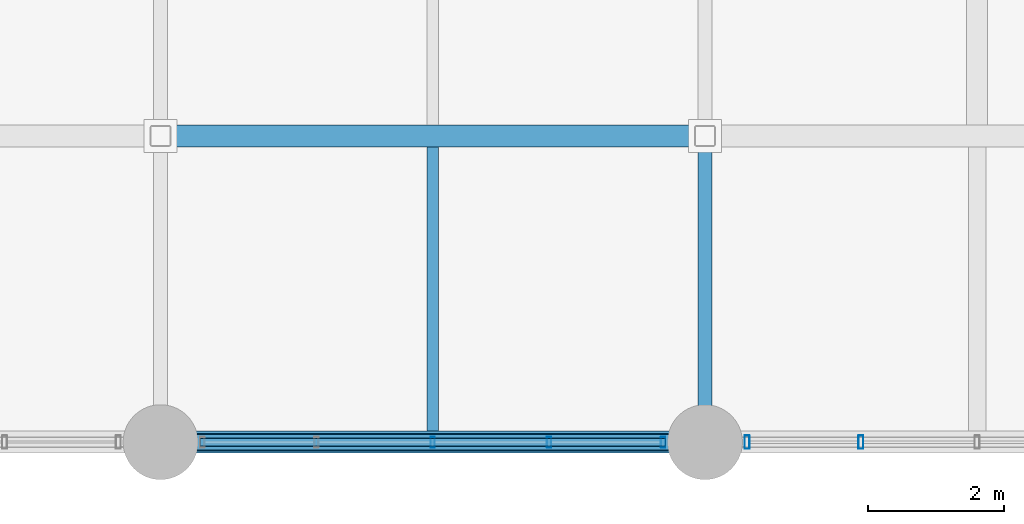
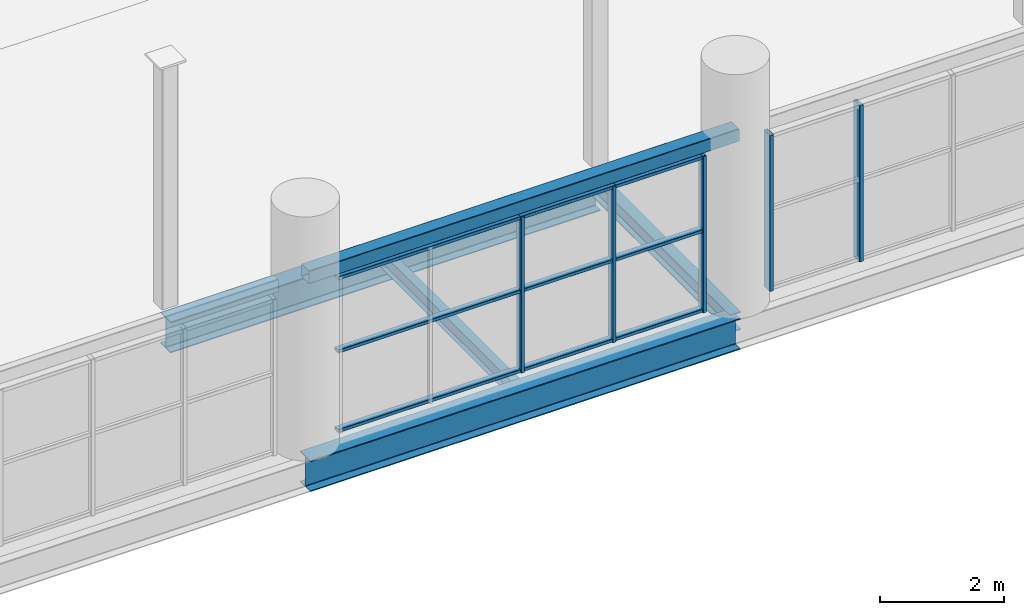
# One storey, part 18 of 114: 8 members, 5 beams, 2 elements without a shape of their own.
"""IFC4 building model written with IfcOpenShell, lengths in metres."""

from ifc_helpers import new_model, si_unit, direction, frame, origin, origin_2d, place, context, subcontext, project, spatial, hollow_rectangle, i_section, extrude, material, material_profile, profile_set, type_object, element, aggregate, save


model = new_model("IFC4")

# Units and contexts
model_context = context("Model", 3, precision=1e-05, world=origin(), true_north=direction((0.0, 1.0)))
body_context = subcontext(model_context, "Body", "Model", "MODEL_VIEW")
ifc_project = project(units=[si_unit("LENGTHUNIT", "METRE"), si_unit("AREAUNIT", "SQUARE_METRE"), si_unit("VOLUMEUNIT", "CUBIC_METRE"), si_unit("PLANEANGLEUNIT", "RADIAN"), si_unit("MASSUNIT", "GRAM", prefix="KILO")], contexts=[model_context])

# Site, building, storey
site_placement = place(None, origin())
site = spatial("IfcSite", under=ifc_project, at=site_placement, CompositionType="ELEMENT")
building_placement = place(site_placement, origin())
building = spatial("IfcBuilding", under=site, at=building_placement, Name="Verrall Gate Interchange", CompositionType="ELEMENT")
storey_placement = place(building_placement, frame((0.0, 0.0, 6.60009765625)))
storey = spatial("IfcBuildingStorey", under=building, at=storey_placement, Name="L02", CompositionType="ELEMENT", Elevation=6.60009765625)

# Beams
ifc_material_1 = material(Name="Structural Steel CSA G40.21 350WT Cat 4", Category="steel")
ifc_material_profile_1 = material_profile(ifc_material_1, i_section(OverallWidth=0.323974609375, OverallDepth=0.611083984375, WebThickness=0.0126953125, FlangeThickness=0.01904296875, FilletRadius=0.014892578125, at=origin_2d()), Name="W610x155")
ifc_profile_set_1 = profile_set([ifc_material_profile_1], Name="Structural Steel CSA G40.21 350WT Cat 4")
beam_type_1 = type_object("IfcBeamType", Name="B-08 Structural Beam W610x155", PredefinedType="BEAM", material=ifc_profile_set_1)
for number, where, z_axis, x_axis, name in (
    (1, (52.0, 0.0, -0.585693359375), (1.0, 0.0, 0.0), (0.0, 1.0, 0.0), "L02 Girder BM-L02-1443 (B-08)"),
    (2, (52.0, 4.5, -0.585693359375), (1.0, 0.0, 0.0), (0.0, 1.0, 0.0), "L02 Girder BM-L02-1459 (B-08)"),
):
    element("IfcBeam", number, at=place(storey_placement, frame(where, z_axis=z_axis, x_axis=x_axis)), inside=storey, type_object=beam_type_1, Name=name, PredefinedType="BEAM", context=body_context, shape_type="SweptSolid", body=[
        extrude(i_section(OverallWidth=0.323974609375, OverallDepth=0.611083984375, WebThickness=0.0126953125, FlangeThickness=0.01904296875, FilletRadius=0.014892578125, at=origin_2d()), origin(), (0.0, 0.0, 1.0), 8.0),
    ])
ifc_material_2 = material(Name="Structural Steel CSA G40.21 350W", Category="steel")
ifc_material_profile_2 = material_profile(ifc_material_2, i_section(OverallWidth=0.205078125, OverallDepth=0.35400390625, WebThickness=0.009521484375, FlangeThickness=0.016845703125, FilletRadius=0.012939453125, at=origin_2d()), Name="W360x79")
ifc_profile_set_2 = profile_set([ifc_material_profile_2], Name="Structural Steel CSA G40.21 350W")
beam_type_2 = type_object("IfcBeamType", Name="B-14 Structural Beam W360x79", PredefinedType="BEAM", material=ifc_profile_set_2)
beam_1_placement = place(storey_placement, frame((60.0, 0.0, -0.45703125), z_axis=(0.0, 1.0, 0.0), x_axis=(-1.0, 0.0, 0.0)))
element("IfcBeam", 3, at=beam_1_placement, inside=storey, type_object=beam_type_2, Name="L02 Girder BM-L02-1742 (B-14)", PredefinedType="BEAM", context=body_context, shape_type="SweptSolid", body=[
    extrude(i_section(OverallWidth=0.205078125, OverallDepth=0.35400390625, WebThickness=0.009521484375, FlangeThickness=0.016845703125, FilletRadius=0.012939453125, at=origin_2d()), origin(), (0.0, 0.0, 1.0), 4.5),
])

# Curtain wall, members
ifc_material_3 = material(Name="Thermally Broken Anodized Aluminium Curtain Wall Framing", Category="aluminium")
curtain_wall_type = type_object("IfcCurtainWallType", Name="CW-14 Unitized Curtain Wall 6836x3070", PredefinedType="NOTDEFINED", material=ifc_material_3)
curtain_wall_1_placement = place(storey_placement, origin())
curtain_wall_1 = element("IfcCurtainWall", 4, at=curtain_wall_1_placement, inside=storey, type_object=curtain_wall_type, Name="L02 Unitized Curtain Wall CW-L02-054", PredefinedType="NOTDEFINED")
ifc_material_4 = material(Name="Thermally Broken Anodized Aluminium Curtain Wall Framing", Category="aluminium")
ifc_material_profile_3 = material_profile(ifc_material_4, hollow_rectangle(XDim=0.06494140625, YDim=0.159912109375, WallThickness=0.00390625, InnerFilletRadius=0.00390625, OuterFilletRadius=0.008056640625, at=origin_2d()), Name="CWM160x65x4")
ifc_profile_set_3 = profile_set([ifc_material_profile_3], Name="Thermally Broken Anodized Aluminium Curtain Wall Framing")
member_type_1 = type_object("IfcMemberType", Name="CM-01 Curtain Mullion CWM160x65x4", PredefinedType="MULLION", material=ifc_profile_set_3)
member_1_placement = place(storey_placement, frame((56.0, 0.0, 0.0), z_axis=(0.0, 0.0, 1.0), x_axis=(1.0, 0.0, 0.0)))
member_1 = element("IfcMember", 5, at=member_1_placement, type_object=member_type_1, Name="CW-L02-054 Mullion 3", PredefinedType="MULLION", context=body_context, shape_type="SweptSolid", body=[
    extrude(hollow_rectangle(XDim=0.06494140625, YDim=0.159912109375, WallThickness=0.00390625, InnerFilletRadius=0.00390625, OuterFilletRadius=0.008056640625, at=origin_2d()), origin(), (0.0, 0.0, 1.0), 3.06982421875),
])
member_2_placement = place(storey_placement, frame((57.708984375, 0.0, 0.0), z_axis=(0.0, 0.0, 1.0), x_axis=(1.0, 0.0, 0.0)))
member_2 = element("IfcMember", 6, at=member_2_placement, type_object=member_type_1, Name="CW-L02-054 Mullion 4", PredefinedType="MULLION", context=body_context, shape_type="SweptSolid", body=[
    extrude(hollow_rectangle(XDim=0.06494140625, YDim=0.159912109375, WallThickness=0.00390625, InnerFilletRadius=0.00390625, OuterFilletRadius=0.008056640625, at=origin_2d()), origin(), (0.0, 0.0, 1.0), 3.06982421875),
])
member_3_placement = place(storey_placement, frame((59.385498046875, 0.0, 0.0), z_axis=(0.0, 0.0, 1.0), x_axis=(1.0, 0.0, 0.0)))
member_3 = element("IfcMember", 7, at=member_3_placement, type_object=member_type_1, Name="CW-L02-054 Mullion 5", PredefinedType="MULLION", context=body_context, shape_type="SweptSolid", body=[
    extrude(hollow_rectangle(XDim=0.06494140625, YDim=0.159912109375, WallThickness=0.00390625, InnerFilletRadius=0.00390625, OuterFilletRadius=0.008056640625, at=origin_2d()), origin(), (0.0, 0.0, 1.0), 3.06982421875),
])

curtain_wall_2_placement = place(storey_placement, origin())
curtain_wall_2 = element("IfcCurtainWall", 8, at=curtain_wall_2_placement, inside=storey, type_object=curtain_wall_type, Name="L02 Unitized Curtain Wall CW-L02-055", PredefinedType="NOTDEFINED")
ifc_material_5 = material(Name="Thermally Broken Anodized Aluminium Curtain Wall Framing", Category="aluminium")
ifc_material_profile_4 = material_profile(ifc_material_5, hollow_rectangle(XDim=0.074951171875, YDim=0.199951171875, WallThickness=0.0048828125, InnerFilletRadius=0.0048828125, OuterFilletRadius=0.010009765625, at=origin_2d()), Name="CWM200x75x5")
ifc_profile_set_4 = profile_set([ifc_material_profile_4], Name="Thermally Broken Anodized Aluminium Curtain Wall Framing")
member_type_2 = type_object("IfcMemberType", Name="CM-02 Curtain Mullion CWM200x75x5", PredefinedType="MULLION", material=ifc_profile_set_4)
member_4_placement = place(storey_placement, frame((60.619384765625, 0.0, 0.0), z_axis=(0.0, 0.0, 1.0), x_axis=(1.0, 0.0, 0.0)))
member_4 = element("IfcMember", 9, at=member_4_placement, type_object=member_type_2, Name="CW-L02-055 Mullion 1", PredefinedType="MULLION", context=body_context, shape_type="SweptSolid", body=[
    extrude(hollow_rectangle(XDim=0.074951171875, YDim=0.199951171875, WallThickness=0.0048828125, InnerFilletRadius=0.0048828125, OuterFilletRadius=0.010009765625, at=origin_2d()), origin(), (0.0, 0.0, 1.0), 3.06982421875),
])
member_5_placement = place(storey_placement, frame((62.291015625, 0.0, 0.0), z_axis=(0.0, 0.0, 1.0), x_axis=(1.0, 0.0, 0.0)))
member_5 = element("IfcMember", 10, at=member_5_placement, type_object=member_type_2, Name="CW-L02-055 Mullion 2", PredefinedType="MULLION", context=body_context, shape_type="SweptSolid", body=[
    extrude(hollow_rectangle(XDim=0.074951171875, YDim=0.199951171875, WallThickness=0.0048828125, InnerFilletRadius=0.0048828125, OuterFilletRadius=0.010009765625, at=origin_2d()), origin(), (0.0, 0.0, 1.0), 3.06982421875),
])
aggregate(curtain_wall_2, [member_4, member_5])

# Member
ifc_material_6 = material(Name="Thermally Broken Anodized Aluminium Curtain Wall Framing", Category="aluminium")
ifc_material_profile_5 = material_profile(ifc_material_6, hollow_rectangle(XDim=0.1201171875, YDim=0.06494140625, WallThickness=0.00390625, InnerFilletRadius=0.00390625, OuterFilletRadius=0.008056640625, at=origin_2d()), Name="CWT120x65x4")
ifc_profile_set_5 = profile_set([ifc_material_profile_5], Name="Thermally Broken Anodized Aluminium Curtain Wall Framing")
member_type_3 = type_object("IfcMemberType", Name="CT-01 Curtain Transom CWT120x65x4", PredefinedType="USERDEFINED", material=ifc_profile_set_5)
member_6_placement = place(storey_placement, frame((52.58203125, 0.0, 0.032470703125), z_axis=(1.0, 0.0, 0.0), x_axis=(0.0, 1.0, 0.0)))
member_6 = element("IfcMember", 11, at=member_6_placement, type_object=member_type_3, Name="CW-L02-054 Transom 1", ObjectType="TRANSOM", PredefinedType="USERDEFINED", context=body_context, shape_type="SweptSolid", body=[
    extrude(hollow_rectangle(XDim=0.1201171875, YDim=0.06494140625, WallThickness=0.00390625, InnerFilletRadius=0.00390625, OuterFilletRadius=0.008056640625, at=origin_2d()), origin(), (0.0, 0.0, 1.0), 6.8359375),
])

member_7_placement = place(storey_placement, frame((52.58203125, 0.0, 1.59619140625), z_axis=(1.0, 0.0, 0.0), x_axis=(0.0, 1.0, 0.0)))
member_7 = element("IfcMember", 12, at=member_7_placement, type_object=member_type_3, Name="CW-L02-054 Transom 2", ObjectType="TRANSOM", PredefinedType="USERDEFINED", context=body_context, shape_type="SweptSolid", body=[
    extrude(hollow_rectangle(XDim=0.1201171875, YDim=0.06494140625, WallThickness=0.00390625, InnerFilletRadius=0.00390625, OuterFilletRadius=0.008056640625, at=origin_2d()), origin(), (0.0, 0.0, 1.0), 6.8359375),
])

member_8_placement = place(storey_placement, frame((52.58203125, 0.0, 3.037353515625), z_axis=(1.0, 0.0, 0.0), x_axis=(0.0, 1.0, 0.0)))
member_8 = element("IfcMember", 13, at=member_8_placement, type_object=member_type_3, Name="CW-L02-054 Transom 3", ObjectType="TRANSOM", PredefinedType="USERDEFINED", context=body_context, shape_type="SweptSolid", body=[
    extrude(hollow_rectangle(XDim=0.1201171875, YDim=0.06494140625, WallThickness=0.00390625, InnerFilletRadius=0.00390625, OuterFilletRadius=0.008056640625, at=origin_2d()), origin(), (0.0, 0.0, 1.0), 6.8359375),
])

aggregate(curtain_wall_1, [member_1, member_2, member_3, member_6, member_7, member_8])

# Beams
ifc_material_7 = material(Name="Structural Steel CSA G40.21 350W", Category="steel")
ifc_material_profile_6 = material_profile(ifc_material_7, i_section(OverallWidth=0.1650390625, OverallDepth=0.31005859375, WebThickness=0.005859375, FlangeThickness=0.009765625, FilletRadius=0.010009765625, at=origin_2d()), Name="W310x39")
ifc_profile_set_6 = profile_set([ifc_material_profile_6], Name="Structural Steel CSA G40.21 350W")
beam_type_3 = type_object("IfcBeamType", Name="J-04 Floor Joist W310x39", PredefinedType="JOIST", material=ifc_profile_set_6)
beam_2_placement = place(storey_placement, frame((56.0, 0.162109375, -0.43505859375), z_axis=(0.0, 1.0, 0.0), x_axis=(-1.0, 0.0, 0.0)))
element("IfcBeam", 14, at=beam_2_placement, inside=storey, type_object=beam_type_3, Name="L02 Secondary Floor Joist JST-L02-1846", PredefinedType="JOIST", context=body_context, shape_type="SweptSolid", body=[
    extrude(i_section(OverallWidth=0.1650390625, OverallDepth=0.31005859375, WebThickness=0.005859375, FlangeThickness=0.009765625, FilletRadius=0.010009765625, at=origin_2d()), origin(), (0.0, 0.0, 1.0), 4.17578125),
])
ifc_material_8 = material(Name="Structural Steel CSA G40.21 350W", Category="steel")
ifc_material_profile_7 = material_profile(ifc_material_8, hollow_rectangle(XDim=0.25390625, YDim=0.25390625, WallThickness=0.009521484375, InnerFilletRadius=0.009521484375, OuterFilletRadius=0.01904296875, at=origin_2d()), Name="HSS254x254x9.5")
ifc_profile_set_7 = profile_set([ifc_material_profile_7], Name="Structural Steel CSA G40.21 350W")
beam_type_4 = type_object("IfcBeamType", Name="LN-03 Portal Lintel HSS254x254x9.5", PredefinedType="LINTEL", material=ifc_profile_set_7)
beam_3_placement = place(storey_placement, frame((52.0, 0.0, 3.2998046875), z_axis=(1.0, 0.0, 0.0), x_axis=(0.0, 1.0, 0.0)))
element("IfcBeam", 15, at=beam_3_placement, inside=storey, type_object=beam_type_4, Name="Classical Portal Lintel 023", PredefinedType="LINTEL", context=body_context, shape_type="SweptSolid", body=[
    extrude(hollow_rectangle(XDim=0.25390625, YDim=0.25390625, WallThickness=0.009521484375, InnerFilletRadius=0.009521484375, OuterFilletRadius=0.01904296875, at=origin_2d()), origin(), (0.0, 0.0, 1.0), 8.0),
])

save(model, "model.ifc")
